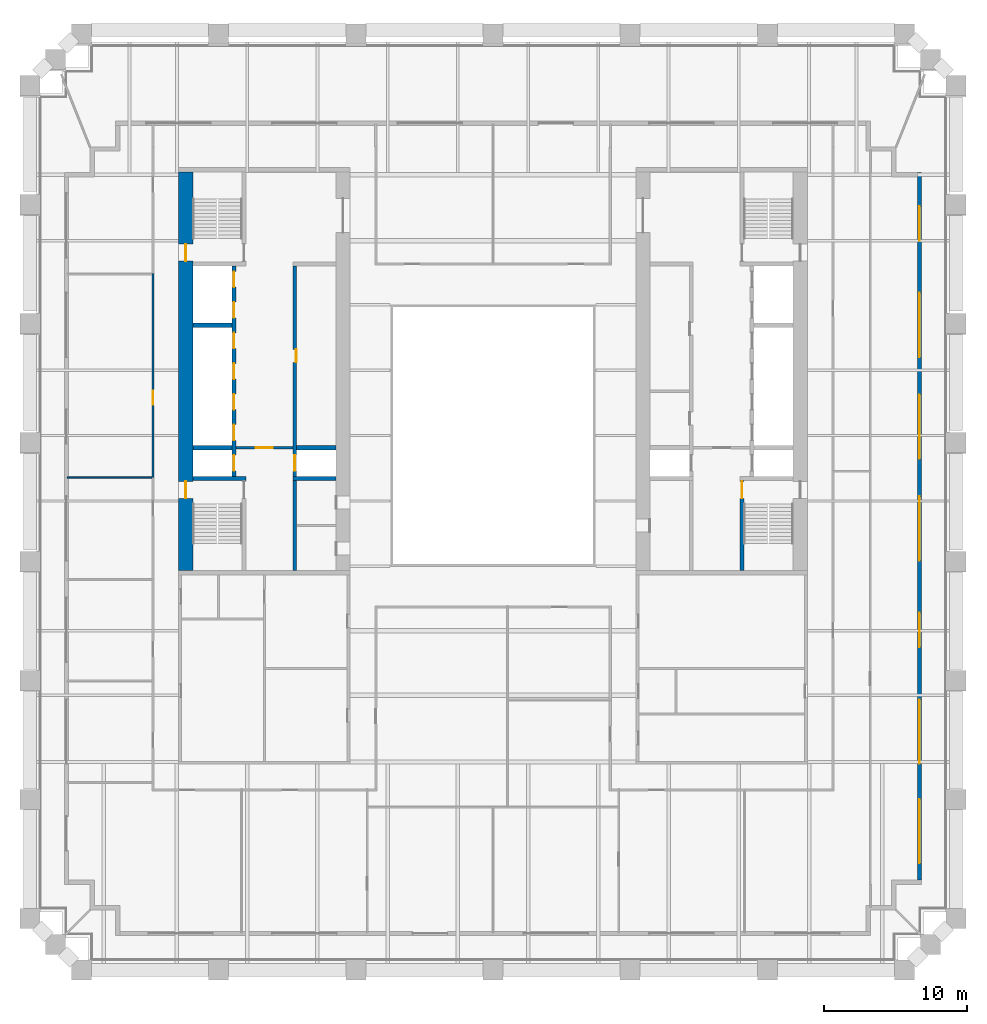
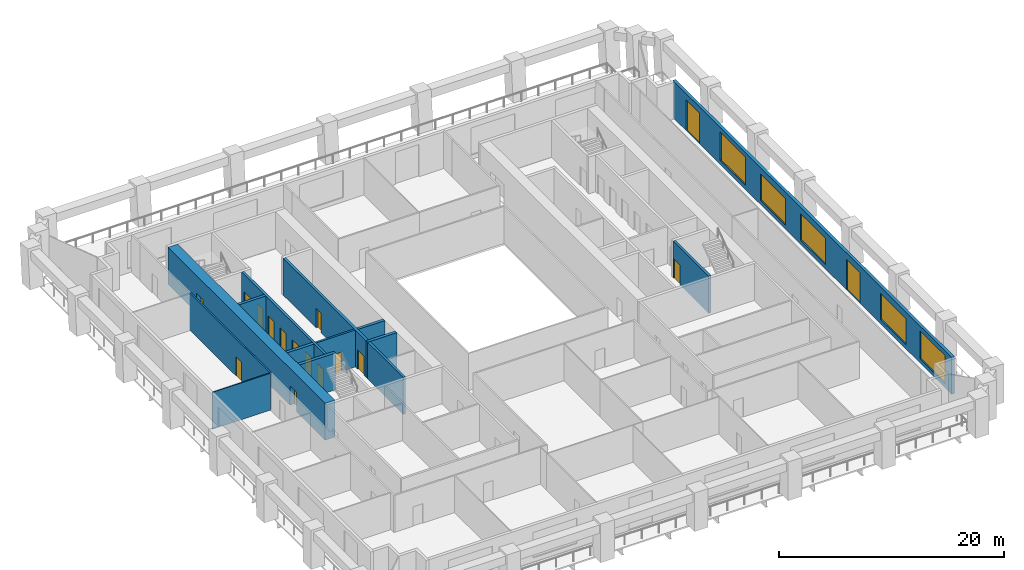
# One storey, part 5 of 10: 16 doors, 13 walls, 5 windows, 21 openings.
"""IFC4 building model written with IfcOpenShell, lengths in metres."""

from ifc_helpers import new_model, si_unit, direction, frame, frame_2d, origin, place, context, subcontext, project, spatial, rectangle, extrude, material, layer, layer_set, type_object, element, fill, save


model = new_model("IFC4")

# Units and contexts
model_context = context("Model", 3, precision=1e-05, world=origin(), true_north=direction((0.0, 1.0)))
body_context = subcontext(model_context, "Body", "Model", "MODEL_VIEW")
ifc_project = project(units=[si_unit("LENGTHUNIT", "METRE"), si_unit("AREAUNIT", "SQUARE_METRE"), si_unit("VOLUMEUNIT", "CUBIC_METRE"), si_unit("PLANEANGLEUNIT", "RADIAN"), si_unit("MASSUNIT", "GRAM", prefix="KILO")], contexts=[model_context])

# Site, building, storey
site_placement = place(None, origin())
site = spatial("IfcSite", under=ifc_project, at=site_placement, CompositionType="ELEMENT")
building_placement = place(site_placement, origin())
building = spatial("IfcBuilding", under=site, at=building_placement, Name="Ogive Exchange Tower", CompositionType="ELEMENT")
storey_placement = place(building_placement, frame((0.0, 0.0, 73.199951171875)))
storey = spatial("IfcBuildingStorey", under=building, at=storey_placement, Name="L15", CompositionType="ELEMENT", Elevation=73.199951171875)

# Wall, opening, door
ifc_material_1 = material(Name="Fire partition EI 60 150")
ifc_layer_1 = layer(ifc_material_1, 0.14990234375)
ifc_layer_set_1 = layer_set([ifc_layer_1], Name="Fire partition EI 60 150")
wall_type_1 = type_object("IfcWallType", Name="Fire partition EI 60 150", PredefinedType="PARTITIONING", material=ifc_layer_set_1)
wall_1_placement = place(storey_placement, frame((-23.800048828125, 4.06005859375, 0.0), z_axis=(0.0, 0.0, 1.0), x_axis=(0.0, 1.0, 0.0)))
wall_1 = element("IfcWall", 1, at=wall_1_placement, inside=storey, type_object=wall_type_1, Name="L15-PWL-009", PredefinedType="PARTITIONING", context=body_context, shape_type="SweptSolid", body=[
    extrude(rectangle(XDim=14.280029296875, YDim=0.14990234375, at=frame_2d((7.14013671875, 0.0))), origin(), (0.0, 0.0, 1.0), 4.0),
])
opening_1_placement = place(wall_1_placement, frame((5.080078125, 0.0, 0.0)))
opening_1 = element("IfcOpeningElement", 2, at=opening_1_placement, cuts=wall_1, Name="Opening L15-I13", PredefinedType="OPENING", context=body_context, shape_type="SweptSolid", body=[
    extrude(rectangle(XDim=1.0, YDim=2.10009765625, at=frame_2d((0.5, 1.050048828125))), frame((0.0, 0.0849609375, 0.0), z_axis=(0.0, -1.0, 0.0), x_axis=(1.0, 0.0, 0.0)), (0.0, 0.0, 1.0), 0.169921875),
])
ifc_material_2 = material(Name="Fire door FD 30S 1000 x 2100")
door_type_1 = type_object("IfcDoorType", Name="Fire door FD 30S 1000 x 2100", OperationType="NOTDEFINED", PredefinedType="DOOR", material=ifc_material_2)
door_1_placement = place(opening_1_placement, origin())
door_1 = element("IfcDoor", 3, at=door_1_placement, inside=storey, type_object=door_type_1, Name="L15-IDR-013", ObjectType="DT3", OperationType="SINGLE_SWING_LEFT", OverallHeight=2.10009765625, OverallWidth=1.0, PredefinedType="DOOR", context=body_context, shape_type="SweptSolid", body=[
    extrude(rectangle(XDim=1.0, YDim=2.10009765625, at=frame_2d((0.5, 1.050048828125))), frame((0.0, 0.02490234375, 0.0), z_axis=(0.0, -1.0, 0.0), x_axis=(1.0, 0.0, 0.0)), (0.0, 0.0, 1.0), 0.050048828125),
])
fill(opening_1, door_1)

# Wall, openings, doors, windows
ifc_material_3 = material(Name="Precast concrete C40/50", Category="concrete")
ifc_layer_2 = layer(ifc_material_3, 0.300048828125)
ifc_layer_set_2 = layer_set([ifc_layer_2], Name="Limestone-faced wall 300")
wall_type_2 = type_object("IfcWallType", Name="Limestone-faced wall 300", PredefinedType="STANDARD", material=ifc_layer_set_2)
wall_2_placement = place(storey_placement, frame((29.85009765625, -24.10009765625, 0.0), z_axis=(0.0, 0.0, 1.0), x_axis=(0.0, 1.0, 0.0)))
wall_2 = element("IfcWall", 4, at=wall_2_placement, inside=storey, type_object=wall_type_2, Name="External wall E2", PredefinedType="STANDARD", context=body_context, shape_type="SweptSolid", body=[
    extrude(rectangle(XDim=49.5, YDim=0.300048828125, at=frame_2d((24.75, 0.0))), origin(), (0.0, 0.0, 1.0), 4.0),
])
opening_2_placement = place(wall_2_placement, frame((1.156982421875, 0.0, 0.449951171875)))
opening_2 = element("IfcOpeningElement", 5, at=opening_2_placement, cuts=wall_2, Name="Opening W1", PredefinedType="OPENING", context=body_context, shape_type="SweptSolid", body=[
    extrude(rectangle(XDim=4.5, YDim=3.050048828125, at=frame_2d((2.25, 1.52490234375))), frame((0.0, 0.159912109375, 0.0), z_axis=(0.0, -1.0, 0.0), x_axis=(1.0, 0.0, 0.0)), (0.0, 0.0, 1.0), 0.320068359375),
])
opening_3_placement = place(wall_2_placement, frame((8.121337890625, 0.0, 0.449951171875)))
opening_3 = element("IfcOpeningElement", 6, at=opening_3_placement, cuts=wall_2, Name="Opening W1E", PredefinedType="OPENING", context=body_context, shape_type="SweptSolid", body=[
    extrude(rectangle(XDim=4.5, YDim=2.824951171875, at=frame_2d((2.25, 1.41259765625))), frame((0.0, 0.159912109375, 0.0), z_axis=(0.0, -1.0, 0.0), x_axis=(1.0, 0.0, 0.0)), (0.0, 0.0, 1.0), 0.320068359375),
])
opening_4_placement = place(wall_2_placement, frame((16.28564453125, 0.0, 0.0)))
opening_4 = element("IfcOpeningElement", 7, at=opening_4_placement, cuts=wall_2, Name="Opening D1C", PredefinedType="OPENING", context=body_context, shape_type="SweptSolid", body=[
    extrude(rectangle(XDim=2.39990234375, YDim=3.324951171875, at=frame_2d((1.199951171875, 1.66259765625))), frame((0.0, 0.159912109375, 0.0), z_axis=(0.0, -1.0, 0.0), x_axis=(1.0, 0.0, 0.0)), (0.0, 0.0, 1.0), 0.320068359375),
])
opening_5_placement = place(wall_2_placement, frame((22.35009765625, 0.0, 0.449951171875)))
opening_5 = element("IfcOpeningElement", 8, at=opening_5_placement, cuts=wall_2, Name="Opening W1D", PredefinedType="OPENING", context=body_context, shape_type="SweptSolid", body=[
    extrude(rectangle(XDim=4.5, YDim=2.875, at=frame_2d((2.25, 1.4375))), frame((0.0, 0.159912109375, 0.0), z_axis=(0.0, -1.0, 0.0), x_axis=(1.0, 0.0, 0.0)), (0.0, 0.0, 1.0), 0.320068359375),
])
opening_6_placement = place(wall_2_placement, frame((29.464111328125, 0.0, 0.449951171875)))
opening_6 = element("IfcOpeningElement", 9, at=opening_6_placement, cuts=wall_2, Name="Opening W1D", PredefinedType="OPENING", context=body_context, shape_type="SweptSolid", body=[
    extrude(rectangle(XDim=4.5, YDim=2.875, at=frame_2d((2.25, 1.4375))), frame((0.0, 0.159912109375, 0.0), z_axis=(0.0, -1.0, 0.0), x_axis=(1.0, 0.0, 0.0)), (0.0, 0.0, 1.0), 0.320068359375),
])
opening_7_placement = place(wall_2_placement, frame((36.57861328125, 0.0, 0.449951171875)))
opening_7 = element("IfcOpeningElement", 10, at=opening_7_placement, cuts=wall_2, Name="Opening W1", PredefinedType="OPENING", context=body_context, shape_type="SweptSolid", body=[
    extrude(rectangle(XDim=4.5, YDim=3.050048828125, at=frame_2d((2.25, 1.52490234375))), frame((0.0, 0.159912109375, 0.0), z_axis=(0.0, -1.0, 0.0), x_axis=(1.0, 0.0, 0.0)), (0.0, 0.0, 1.0), 0.320068359375),
])
opening_8_placement = place(wall_2_placement, frame((44.742919921875, 0.0, 0.0)))
opening_8 = element("IfcOpeningElement", 11, at=opening_8_placement, cuts=wall_2, Name="Opening D1C", PredefinedType="OPENING", context=body_context, shape_type="SweptSolid", body=[
    extrude(rectangle(XDim=2.39990234375, YDim=3.324951171875, at=frame_2d((1.199951171875, 1.66259765625))), frame((0.0, 0.159912109375, 0.0), z_axis=(0.0, -1.0, 0.0), x_axis=(1.0, 0.0, 0.0)), (0.0, 0.0, 1.0), 0.320068359375),
])
ifc_material_4 = material(Name="Clear glass in bronze frame", Category="glass")
door_type_2 = type_object("IfcDoorType", Name="Sliding loggia door 2400 x 3325", OperationType="DOUBLE_DOOR_SLIDING", PredefinedType="DOOR", material=ifc_material_4)
door_2_placement = place(opening_4_placement, origin())
door_2 = element("IfcDoor", 12, at=door_2_placement, inside=storey, type_object=door_type_2, Name="Loggia door E02", OperationType="DOUBLE_DOOR_SLIDING", OverallHeight=3.324951171875, OverallWidth=2.39990234375, PredefinedType="DOOR", context=body_context, shape_type="SweptSolid", body=[
    extrude(rectangle(XDim=2.39990234375, YDim=3.324951171875, at=frame_2d((1.199951171875, 1.66259765625))), frame((0.0, 0.02490234375, 0.0), z_axis=(0.0, -1.0, 0.0), x_axis=(1.0, 0.0, 0.0)), (0.0, 0.0, 1.0), 0.050048828125),
])
fill(opening_4, door_2)
door_3_placement = place(opening_8_placement, origin())
door_3 = element("IfcDoor", 13, at=door_3_placement, inside=storey, type_object=door_type_2, Name="Loggia door E06", OperationType="DOUBLE_DOOR_SLIDING", OverallHeight=3.324951171875, OverallWidth=2.39990234375, PredefinedType="DOOR", context=body_context, shape_type="SweptSolid", body=[
    extrude(rectangle(XDim=2.39990234375, YDim=3.324951171875, at=frame_2d((1.199951171875, 1.66259765625))), frame((0.0, 0.02490234375, 0.0), z_axis=(0.0, -1.0, 0.0), x_axis=(1.0, 0.0, 0.0)), (0.0, 0.0, 1.0), 0.050048828125),
])
fill(opening_8, door_3)
window_type_1 = type_object("IfcWindowType", Name="Twin lancet window 4500 x 2825", PartitioningType="DOUBLE_PANEL_VERTICAL", PredefinedType="WINDOW", material=ifc_material_4)
window_1_placement = place(opening_3_placement, origin())
window_1 = element("IfcWindow", 14, at=window_1_placement, inside=storey, type_object=window_type_1, Name="Window E01", OverallHeight=2.824951171875, OverallWidth=4.5, PartitioningType="DOUBLE_PANEL_VERTICAL", PredefinedType="WINDOW", context=body_context, shape_type="SweptSolid", body=[
    extrude(rectangle(XDim=4.5, YDim=2.824951171875, at=frame_2d((2.25, 1.41259765625))), frame((0.0, 0.030029296875, 0.0), z_axis=(0.0, -1.0, 0.0), x_axis=(1.0, 0.0, 0.0)), (0.0, 0.0, 1.0), 0.06005859375),
])
fill(opening_3, window_1)
window_type_2 = type_object("IfcWindowType", Name="Twin lancet window 4500 x 2875", PartitioningType="DOUBLE_PANEL_VERTICAL", PredefinedType="WINDOW", material=ifc_material_4)
window_2_placement = place(opening_5_placement, origin())
window_2 = element("IfcWindow", 15, at=window_2_placement, inside=storey, type_object=window_type_2, Name="Window E03", OverallHeight=2.875, OverallWidth=4.5, PartitioningType="DOUBLE_PANEL_VERTICAL", PredefinedType="WINDOW", context=body_context, shape_type="SweptSolid", body=[
    extrude(rectangle(XDim=4.5, YDim=2.875, at=frame_2d((2.25, 1.4375))), frame((0.0, 0.030029296875, 0.0), z_axis=(0.0, -1.0, 0.0), x_axis=(1.0, 0.0, 0.0)), (0.0, 0.0, 1.0), 0.06005859375),
])
fill(opening_5, window_2)
window_3_placement = place(opening_6_placement, origin())
window_3 = element("IfcWindow", 16, at=window_3_placement, inside=storey, type_object=window_type_2, Name="Window E04", OverallHeight=2.875, OverallWidth=4.5, PartitioningType="DOUBLE_PANEL_VERTICAL", PredefinedType="WINDOW", context=body_context, shape_type="SweptSolid", body=[
    extrude(rectangle(XDim=4.5, YDim=2.875, at=frame_2d((2.25, 1.4375))), frame((0.0, 0.030029296875, 0.0), z_axis=(0.0, -1.0, 0.0), x_axis=(1.0, 0.0, 0.0)), (0.0, 0.0, 1.0), 0.06005859375),
])
fill(opening_6, window_3)
window_type_3 = type_object("IfcWindowType", Name="Twin lancet window 4500 x 3050", PartitioningType="DOUBLE_PANEL_VERTICAL", PredefinedType="WINDOW", material=ifc_material_4)
window_4_placement = place(opening_2_placement, origin())
window_4 = element("IfcWindow", 17, at=window_4_placement, inside=storey, type_object=window_type_3, Name="Window E00", OverallHeight=3.050048828125, OverallWidth=4.5, PartitioningType="DOUBLE_PANEL_VERTICAL", PredefinedType="WINDOW", context=body_context, shape_type="SweptSolid", body=[
    extrude(rectangle(XDim=4.5, YDim=3.050048828125, at=frame_2d((2.25, 1.52490234375))), frame((0.0, 0.030029296875, 0.0), z_axis=(0.0, -1.0, 0.0), x_axis=(1.0, 0.0, 0.0)), (0.0, 0.0, 1.0), 0.06005859375),
])
fill(opening_2, window_4)
window_5_placement = place(opening_7_placement, origin())
window_5 = element("IfcWindow", 18, at=window_5_placement, inside=storey, type_object=window_type_3, Name="Window E05", OverallHeight=3.050048828125, OverallWidth=4.5, PartitioningType="DOUBLE_PANEL_VERTICAL", PredefinedType="WINDOW", context=body_context, shape_type="SweptSolid", body=[
    extrude(rectangle(XDim=4.5, YDim=3.050048828125, at=frame_2d((2.25, 1.52490234375))), frame((0.0, 0.030029296875, 0.0), z_axis=(0.0, -1.0, 0.0), x_axis=(1.0, 0.0, 0.0)), (0.0, 0.0, 1.0), 0.06005859375),
])
fill(opening_7, window_5)

# Wall
ifc_material_5 = material(Name="Partition 100 gypsum")
ifc_layer_3 = layer(ifc_material_5, 0.10009765625)
ifc_layer_set_3 = layer_set([ifc_layer_3], Name="Partition 100 gypsum")
wall_type_3 = type_object("IfcWallType", Name="Partition 100 gypsum", PredefinedType="PARTITIONING", material=ifc_layer_set_3)
wall_3_placement = place(storey_placement, frame((-23.875, 4.06005859375, 0.0), z_axis=(0.0, 0.0, 1.0), x_axis=(-1.0, 0.0, 0.0)))
element("IfcWall", 19, at=wall_3_placement, inside=storey, type_object=wall_type_3, Name="L15-PWL-008", PredefinedType="PARTITIONING", context=body_context, shape_type="SweptSolid", body=[
    extrude(rectangle(XDim=5.925048828125, YDim=0.10009765625, at=frame_2d((2.96240234375, 0.0))), origin(), (0.0, 0.0, 1.0), 4.0),
])

# Wall, openings, doors
ifc_material_6 = material(Name="Concrete C70/85", Category="concrete")
ifc_layer_4 = layer(ifc_material_6, 1.0)
ifc_layer_set_4 = layer_set([ifc_layer_4], Name="RC core wall 1000 C70/85")
wall_type_4 = type_object("IfcWallType", Name="RC core wall 1000 C70/85", PredefinedType="SHEAR", material=ifc_layer_set_4)
wall_4_placement = place(storey_placement, frame((-21.5, -2.449951171875, 0.0), z_axis=(0.0, 0.0, 1.0), x_axis=(0.0, 1.0, 0.0)))
wall_4 = element("IfcWall", 20, at=wall_4_placement, inside=storey, type_object=wall_type_4, Name="W outer wall", PredefinedType="SHEAR", context=body_context, shape_type="SweptSolid", body=[
    extrude(rectangle(XDim=27.89990234375, YDim=1.0, at=frame_2d((13.949951171875, 0.0))), origin(), (0.0, 0.0, 1.0), 4.0),
])
opening_9_placement = place(wall_4_placement, frame((5.050048828125, 0.0, 0.0)))
opening_9 = element("IfcOpeningElement", 21, at=opening_9_placement, cuts=wall_4, Name="Opening L15-C13", PredefinedType="OPENING", context=body_context, shape_type="SweptSolid", body=[
    extrude(rectangle(XDim=1.199951171875, YDim=2.10009765625, at=frame_2d((0.60009765625, 1.050048828125))), frame((0.0, 0.510009765625, 0.0), z_axis=(0.0, -1.0, 0.0), x_axis=(1.0, 0.0, 0.0)), (0.0, 0.0, 1.0), 1.02001953125),
])
opening_10_placement = place(wall_4_placement, frame((21.64990234375, 0.0, 0.0)))
opening_10 = element("IfcOpeningElement", 22, at=opening_10_placement, cuts=wall_4, Name="Opening L15-C15", PredefinedType="OPENING", context=body_context, shape_type="SweptSolid", body=[
    extrude(rectangle(XDim=1.199951171875, YDim=2.10009765625, at=frame_2d((0.60009765625, 1.050048828125))), frame((0.0, 0.510009765625, 0.0), z_axis=(0.0, -1.0, 0.0), x_axis=(1.0, 0.0, 0.0)), (0.0, 0.0, 1.0), 1.02001953125),
])
ifc_material_7 = material(Name="Steel fire door", Category="steel")
door_type_3 = type_object("IfcDoorType", Name="Stair door FD90 1200 x 2100", OperationType="NOTDEFINED", PredefinedType="DOOR", material=ifc_material_7)
door_4_placement = place(opening_9_placement, frame((1.199951171875, 0.0, 0.0), z_axis=(0.0, 0.0, 1.0), x_axis=(-1.0, 0.0, 0.0)))
door_4 = element("IfcDoor", 23, at=door_4_placement, inside=storey, type_object=door_type_3, Name="Stair door", ObjectType="CD5", OperationType="SINGLE_SWING_RIGHT", OverallHeight=2.10009765625, OverallWidth=1.199951171875, PredefinedType="DOOR", context=body_context, shape_type="SweptSolid", body=[
    extrude(rectangle(XDim=1.199951171875, YDim=2.10009765625, at=frame_2d((0.60009765625, 1.050048828125))), frame((0.0, 0.02490234375, 0.0), z_axis=(0.0, -1.0, 0.0), x_axis=(1.0, 0.0, 0.0)), (0.0, 0.0, 1.0), 0.050048828125),
])
fill(opening_9, door_4)
door_5_placement = place(opening_10_placement, frame((1.199951171875, 0.0, 0.0), z_axis=(0.0, 0.0, 1.0), x_axis=(-1.0, 0.0, 0.0)))
door_5 = element("IfcDoor", 24, at=door_5_placement, inside=storey, type_object=door_type_3, Name="Stair door", ObjectType="CD5", OperationType="SINGLE_SWING_LEFT", OverallHeight=2.10009765625, OverallWidth=1.199951171875, PredefinedType="DOOR", context=body_context, shape_type="SweptSolid", body=[
    extrude(rectangle(XDim=1.199951171875, YDim=2.10009765625, at=frame_2d((0.60009765625, 1.050048828125))), frame((0.0, 0.02490234375, 0.0), z_axis=(0.0, -1.0, 0.0), x_axis=(1.0, 0.0, 0.0)), (0.0, 0.0, 1.0), 0.050048828125),
])
fill(opening_10, door_5)

# Wall, opening, door
ifc_layer_5 = layer(ifc_material_6, 0.199951171875)
ifc_layer_set_5 = layer_set([ifc_layer_5], Name="RC core wall 200 C70/85")
wall_type_5 = type_object("IfcWallType", Name="RC core wall 200 C70/85", PredefinedType="SHEAR", material=ifc_layer_set_5)
wall_5_placement = place(storey_placement, frame((-18.0, 6.142822265625, 0.0), z_axis=(0.0, 0.0, 1.0), x_axis=(1.0, 0.0, 0.0)))
wall_5 = element("IfcWall", 25, at=wall_5_placement, inside=storey, type_object=wall_type_5, Name="W firefighting lobby wall", PredefinedType="SHEAR", context=body_context, shape_type="SweptSolid", body=[
    extrude(rectangle(XDim=4.0, YDim=0.199951171875, at=frame_2d((2.0, 0.0))), origin(), (0.0, 0.0, 1.0), 4.0),
])
opening_11_placement = place(wall_5_placement, frame((1.39990234375, 0.0, 0.0)))
opening_11 = element("IfcOpeningElement", 26, at=opening_11_placement, cuts=wall_5, Name="Opening L15-C10", PredefinedType="OPENING", context=body_context, shape_type="SweptSolid", body=[
    extrude(rectangle(XDim=1.199951171875, YDim=2.10009765625, at=frame_2d((0.60009765625, 1.050048828125))), frame((0.0, 0.10986328125, 0.0), z_axis=(0.0, -1.0, 0.0), x_axis=(1.0, 0.0, 0.0)), (0.0, 0.0, 1.0), 0.219970703125),
])
door_type_4 = type_object("IfcDoorType", Name="Firefighting lobby door FD60 1200 x 2100", OperationType="NOTDEFINED", PredefinedType="DOOR", material=ifc_material_7)
door_6_placement = place(opening_11_placement, frame((1.199951171875, 0.0, 0.0), z_axis=(0.0, 0.0, 1.0), x_axis=(-1.0, 0.0, 0.0)))
door_6 = element("IfcDoor", 27, at=door_6_placement, inside=storey, type_object=door_type_4, Name="Firefighting lobby door", ObjectType="CD3", OperationType="SINGLE_SWING_RIGHT", OverallHeight=2.10009765625, OverallWidth=1.199951171875, PredefinedType="DOOR", context=body_context, shape_type="SweptSolid", body=[
    extrude(rectangle(XDim=1.199951171875, YDim=2.10009765625, at=frame_2d((0.60009765625, 1.050048828125))), frame((0.0, 0.02490234375, 0.0), z_axis=(0.0, -1.0, 0.0), x_axis=(1.0, 0.0, 0.0)), (0.0, 0.0, 1.0), 0.050048828125),
])
fill(opening_11, door_6)

# Wall, openings, doors
ifc_layer_6 = layer(ifc_material_6, 0.25)
ifc_layer_set_6 = layer_set([ifc_layer_6], Name="RC core wall 250 C70/85")
wall_type_6 = type_object("IfcWallType", Name="RC core wall 250 C70/85", PredefinedType="SHEAR", material=ifc_layer_set_6)
wall_6_placement = place(storey_placement, frame((-18.125, 4.14990234375, 0.0), z_axis=(0.0, 0.0, 1.0), x_axis=(0.0, 1.0, 0.0)))
wall_6 = element("IfcWall", 28, at=wall_6_placement, inside=storey, type_object=wall_type_6, Name="W row A front wall", PredefinedType="SHEAR", context=body_context, shape_type="SweptSolid", body=[
    extrude(rectangle(XDim=14.7001953125, YDim=0.25, at=frame_2d((7.35009765625, 0.0))), origin(), (0.0, 0.0, 1.0), 4.0),
])
opening_12_placement = place(wall_6_placement, frame((0.371337890625, 0.0, 0.0)))
opening_12 = element("IfcOpeningElement", 29, at=opening_12_placement, cuts=wall_6, Name="Opening L15-C01", PredefinedType="OPENING", context=body_context, shape_type="SweptSolid", body=[
    extrude(rectangle(XDim=1.10009765625, YDim=2.10009765625, at=frame_2d((0.550048828125, 1.050048828125))), frame((0.0, 0.135009765625, 0.0), z_axis=(0.0, -1.0, 0.0), x_axis=(1.0, 0.0, 0.0)), (0.0, 0.0, 1.0), 0.27001953125),
])
opening_13_placement = place(wall_6_placement, frame((2.514404296875, 0.0, 0.0)))
opening_13 = element("IfcOpeningElement", 30, at=opening_13_placement, cuts=wall_6, Name="Opening L15-C02", PredefinedType="OPENING", context=body_context, shape_type="SweptSolid", body=[
    extrude(rectangle(XDim=1.10009765625, YDim=2.10009765625, at=frame_2d((0.550048828125, 1.050048828125))), frame((0.0, 0.135009765625, 0.0), z_axis=(0.0, -1.0, 0.0), x_axis=(1.0, 0.0, 0.0)), (0.0, 0.0, 1.0), 0.27001953125),
])
opening_14_placement = place(wall_6_placement, frame((4.656982421875, 0.0, 0.0)))
opening_14 = element("IfcOpeningElement", 31, at=opening_14_placement, cuts=wall_6, Name="Opening L15-C03", PredefinedType="OPENING", context=body_context, shape_type="SweptSolid", body=[
    extrude(rectangle(XDim=1.10009765625, YDim=2.10009765625, at=frame_2d((0.550048828125, 1.050048828125))), frame((0.0, 0.135009765625, 0.0), z_axis=(0.0, -1.0, 0.0), x_axis=(1.0, 0.0, 0.0)), (0.0, 0.0, 1.0), 0.27001953125),
])
opening_15_placement = place(wall_6_placement, frame((6.800048828125, 0.0, 0.0)))
opening_15 = element("IfcOpeningElement", 32, at=opening_15_placement, cuts=wall_6, Name="Opening L15-C04", PredefinedType="OPENING", context=body_context, shape_type="SweptSolid", body=[
    extrude(rectangle(XDim=1.10009765625, YDim=2.10009765625, at=frame_2d((0.550048828125, 1.050048828125))), frame((0.0, 0.135009765625, 0.0), z_axis=(0.0, -1.0, 0.0), x_axis=(1.0, 0.0, 0.0)), (0.0, 0.0, 1.0), 0.27001953125),
])
opening_16_placement = place(wall_6_placement, frame((8.94287109375, 0.0, 0.0)))
opening_16 = element("IfcOpeningElement", 33, at=opening_16_placement, cuts=wall_6, Name="Opening L15-C05", PredefinedType="OPENING", context=body_context, shape_type="SweptSolid", body=[
    extrude(rectangle(XDim=1.10009765625, YDim=2.10009765625, at=frame_2d((0.550048828125, 1.050048828125))), frame((0.0, 0.135009765625, 0.0), z_axis=(0.0, -1.0, 0.0), x_axis=(1.0, 0.0, 0.0)), (0.0, 0.0, 1.0), 0.27001953125),
])
opening_17_placement = place(wall_6_placement, frame((11.085693359375, 0.0, 0.0)))
opening_17 = element("IfcOpeningElement", 34, at=opening_17_placement, cuts=wall_6, Name="Opening L15-C06", PredefinedType="OPENING", context=body_context, shape_type="SweptSolid", body=[
    extrude(rectangle(XDim=1.10009765625, YDim=2.10009765625, at=frame_2d((0.550048828125, 1.050048828125))), frame((0.0, 0.135009765625, 0.0), z_axis=(0.0, -1.0, 0.0), x_axis=(1.0, 0.0, 0.0)), (0.0, 0.0, 1.0), 0.27001953125),
])
opening_18_placement = place(wall_6_placement, frame((13.228515625, 0.0, 0.0)))
opening_18 = element("IfcOpeningElement", 35, at=opening_18_placement, cuts=wall_6, Name="Opening L15-C07", PredefinedType="OPENING", context=body_context, shape_type="SweptSolid", body=[
    extrude(rectangle(XDim=1.10009765625, YDim=2.10009765625, at=frame_2d((0.550048828125, 1.050048828125))), frame((0.0, 0.135009765625, 0.0), z_axis=(0.0, -1.0, 0.0), x_axis=(1.0, 0.0, 0.0)), (0.0, 0.0, 1.0), 0.27001953125),
])
ifc_material_8 = material(Name="Stainless steel", Category="steel")
door_type_5 = type_object("IfcDoorType", Name="Lift landing door FD90 1100 x 2100", OperationType="SLIDING_TO_LEFT", PredefinedType="DOOR", material=ifc_material_8)
door_7_placement = place(opening_12_placement, origin())
door_7 = element("IfcDoor", 36, at=door_7_placement, inside=storey, type_object=door_type_5, Name="Lift landing door FF1", ObjectType="LD", OperationType="SLIDING_TO_LEFT", OverallHeight=2.10009765625, OverallWidth=1.10009765625, PredefinedType="DOOR", context=body_context, shape_type="SweptSolid", body=[
    extrude(rectangle(XDim=1.10009765625, YDim=2.10009765625, at=frame_2d((0.550048828125, 1.050048828125))), frame((0.0, 0.02490234375, 0.0), z_axis=(0.0, -1.0, 0.0), x_axis=(1.0, 0.0, 0.0)), (0.0, 0.0, 1.0), 0.050048828125),
])
fill(opening_12, door_7)
door_8_placement = place(opening_13_placement, origin())
door_8 = element("IfcDoor", 37, at=door_8_placement, inside=storey, type_object=door_type_5, Name="Lift landing door W-L1", ObjectType="LD", OperationType="SLIDING_TO_LEFT", OverallHeight=2.10009765625, OverallWidth=1.10009765625, PredefinedType="DOOR", context=body_context, shape_type="SweptSolid", body=[
    extrude(rectangle(XDim=1.10009765625, YDim=2.10009765625, at=frame_2d((0.550048828125, 1.050048828125))), frame((0.0, 0.02490234375, 0.0), z_axis=(0.0, -1.0, 0.0), x_axis=(1.0, 0.0, 0.0)), (0.0, 0.0, 1.0), 0.050048828125),
])
fill(opening_13, door_8)
door_9_placement = place(opening_14_placement, origin())
door_9 = element("IfcDoor", 38, at=door_9_placement, inside=storey, type_object=door_type_5, Name="Lift landing door W-L2", ObjectType="LD", OperationType="SLIDING_TO_LEFT", OverallHeight=2.10009765625, OverallWidth=1.10009765625, PredefinedType="DOOR", context=body_context, shape_type="SweptSolid", body=[
    extrude(rectangle(XDim=1.10009765625, YDim=2.10009765625, at=frame_2d((0.550048828125, 1.050048828125))), frame((0.0, 0.02490234375, 0.0), z_axis=(0.0, -1.0, 0.0), x_axis=(1.0, 0.0, 0.0)), (0.0, 0.0, 1.0), 0.050048828125),
])
fill(opening_14, door_9)
door_10_placement = place(opening_15_placement, origin())
door_10 = element("IfcDoor", 39, at=door_10_placement, inside=storey, type_object=door_type_5, Name="Lift landing door W-L3", ObjectType="LD", OperationType="SLIDING_TO_LEFT", OverallHeight=2.10009765625, OverallWidth=1.10009765625, PredefinedType="DOOR", context=body_context, shape_type="SweptSolid", body=[
    extrude(rectangle(XDim=1.10009765625, YDim=2.10009765625, at=frame_2d((0.550048828125, 1.050048828125))), frame((0.0, 0.02490234375, 0.0), z_axis=(0.0, -1.0, 0.0), x_axis=(1.0, 0.0, 0.0)), (0.0, 0.0, 1.0), 0.050048828125),
])
fill(opening_15, door_10)
door_11_placement = place(opening_16_placement, origin())
door_11 = element("IfcDoor", 40, at=door_11_placement, inside=storey, type_object=door_type_5, Name="Lift landing door W-L4", ObjectType="LD", OperationType="SLIDING_TO_LEFT", OverallHeight=2.10009765625, OverallWidth=1.10009765625, PredefinedType="DOOR", context=body_context, shape_type="SweptSolid", body=[
    extrude(rectangle(XDim=1.10009765625, YDim=2.10009765625, at=frame_2d((0.550048828125, 1.050048828125))), frame((0.0, 0.02490234375, 0.0), z_axis=(0.0, -1.0, 0.0), x_axis=(1.0, 0.0, 0.0)), (0.0, 0.0, 1.0), 0.050048828125),
])
fill(opening_16, door_11)
door_12_placement = place(opening_17_placement, origin())
door_12 = element("IfcDoor", 41, at=door_12_placement, inside=storey, type_object=door_type_5, Name="Lift landing door W-SH1", ObjectType="LD", OperationType="SLIDING_TO_LEFT", OverallHeight=2.10009765625, OverallWidth=1.10009765625, PredefinedType="DOOR", context=body_context, shape_type="SweptSolid", body=[
    extrude(rectangle(XDim=1.10009765625, YDim=2.10009765625, at=frame_2d((0.550048828125, 1.050048828125))), frame((0.0, 0.02490234375, 0.0), z_axis=(0.0, -1.0, 0.0), x_axis=(1.0, 0.0, 0.0)), (0.0, 0.0, 1.0), 0.050048828125),
])
fill(opening_17, door_12)
door_13_placement = place(opening_18_placement, origin())
door_13 = element("IfcDoor", 42, at=door_13_placement, inside=storey, type_object=door_type_5, Name="Lift landing door W-SH2", ObjectType="LD", OperationType="SLIDING_TO_LEFT", OverallHeight=2.10009765625, OverallWidth=1.10009765625, PredefinedType="DOOR", context=body_context, shape_type="SweptSolid", body=[
    extrude(rectangle(XDim=1.10009765625, YDim=2.10009765625, at=frame_2d((0.550048828125, 1.050048828125))), frame((0.0, 0.02490234375, 0.0), z_axis=(0.0, -1.0, 0.0), x_axis=(1.0, 0.0, 0.0)), (0.0, 0.0, 1.0), 0.050048828125),
])
fill(opening_18, door_13)

wall_7_placement = place(storey_placement, frame((-13.875, -2.449951171875, 0.0), z_axis=(0.0, 0.0, 1.0), x_axis=(0.0, 1.0, 0.0)))
wall_7 = element("IfcWall", 43, at=wall_7_placement, inside=storey, type_object=wall_type_6, Name="W row B front wall", PredefinedType="SHEAR", context=body_context, shape_type="SweptSolid", body=[
    extrude(rectangle(XDim=21.300048828125, YDim=0.25, at=frame_2d((10.64990234375, 0.0))), origin(), (0.0, 0.0, 1.0), 4.0),
])
opening_19_placement = place(wall_7_placement, frame((14.5712890625, 0.0, 0.0)))
opening_19 = element("IfcOpeningElement", 44, at=opening_19_placement, cuts=wall_7, Name="Opening L15-C08", PredefinedType="OPENING", context=body_context, shape_type="SweptSolid", body=[
    extrude(rectangle(XDim=0.89990234375, YDim=2.10009765625, at=frame_2d((0.449951171875, 1.050048828125))), frame((0.0, 0.135009765625, 0.0), z_axis=(0.0, -1.0, 0.0), x_axis=(1.0, 0.0, 0.0)), (0.0, 0.0, 1.0), 0.27001953125),
])
opening_20_placement = place(wall_7_placement, frame((6.971435546875, 0.0, 0.0)))
opening_20 = element("IfcOpeningElement", 45, at=opening_20_placement, cuts=wall_7, Name="Opening L15-C09", PredefinedType="OPENING", context=body_context, shape_type="SweptSolid", body=[
    extrude(rectangle(XDim=1.10009765625, YDim=2.10009765625, at=frame_2d((0.550048828125, 1.050048828125))), frame((0.0, 0.135009765625, 0.0), z_axis=(0.0, -1.0, 0.0), x_axis=(1.0, 0.0, 0.0)), (0.0, 0.0, 1.0), 0.27001953125),
])
door_14_placement = place(opening_20_placement, origin())
door_14 = element("IfcDoor", 46, at=door_14_placement, inside=storey, type_object=door_type_5, Name="Lift landing door SV1", ObjectType="LD", OperationType="SLIDING_TO_LEFT", OverallHeight=2.10009765625, OverallWidth=1.10009765625, PredefinedType="DOOR", context=body_context, shape_type="SweptSolid", body=[
    extrude(rectangle(XDim=1.10009765625, YDim=2.10009765625, at=frame_2d((0.550048828125, 1.050048828125))), frame((0.0, 0.02490234375, 0.0), z_axis=(0.0, -1.0, 0.0), x_axis=(1.0, 0.0, 0.0)), (0.0, 0.0, 1.0), 0.050048828125),
])
fill(opening_20, door_14)
door_type_6 = type_object("IfcDoorType", Name="Riser door FD60 900 x 2100", OperationType="NOTDEFINED", PredefinedType="DOOR", material=ifc_material_7)
door_15_placement = place(opening_19_placement, frame((0.89990234375, -0.2001953125, 0.0), z_axis=(0.0, 0.0, 1.0), x_axis=(-1.0, 0.0, 0.0)))
door_15 = element("IfcDoor", 47, at=door_15_placement, inside=storey, type_object=door_type_6, Name="Riser door", ObjectType="CD2", OperationType="SINGLE_SWING_LEFT", OverallHeight=2.10009765625, OverallWidth=0.89990234375, PredefinedType="DOOR", context=body_context, shape_type="SweptSolid", body=[
    extrude(rectangle(XDim=0.89990234375, YDim=2.10009765625, at=frame_2d((0.449951171875, 1.050048828125))), frame((0.0, -0.0751953125, 0.0), z_axis=(0.0, -1.0, 0.0), x_axis=(1.0, 0.0, 0.0)), (0.0, 0.0, 1.0), 0.050048828125),
])
fill(opening_19, door_15)

# Wall, opening, door
wall_8_placement = place(storey_placement, frame((17.425048828125, -2.449951171875, 0.0), z_axis=(0.0, 0.0, 1.0), x_axis=(0.0, 1.0, 0.0)))
wall_8 = element("IfcWall", 48, at=wall_8_placement, inside=storey, type_object=wall_type_6, Name="E stair S front wall", PredefinedType="SHEAR", context=body_context, shape_type="SweptSolid", body=[
    extrude(rectangle(XDim=6.300048828125, YDim=0.25, at=frame_2d((3.14990234375, 0.0))), origin(), (0.0, 0.0, 1.0), 4.0),
])
opening_21_placement = place(wall_8_placement, frame((5.050048828125, 0.0, 0.0)))
opening_21 = element("IfcOpeningElement", 49, at=opening_21_placement, cuts=wall_8, Name="Opening L15-C35", PredefinedType="OPENING", context=body_context, shape_type="SweptSolid", body=[
    extrude(rectangle(XDim=1.199951171875, YDim=2.10009765625, at=frame_2d((0.60009765625, 1.050048828125))), frame((0.0, 0.135009765625, 0.0), z_axis=(0.0, -1.0, 0.0), x_axis=(1.0, 0.0, 0.0)), (0.0, 0.0, 1.0), 0.27001953125),
])
door_16_placement = place(opening_21_placement, frame((1.199951171875, 0.0, 0.0), z_axis=(0.0, 0.0, 1.0), x_axis=(-1.0, 0.0, 0.0)))
door_16 = element("IfcDoor", 50, at=door_16_placement, inside=storey, type_object=door_type_3, Name="Stair door", ObjectType="CD5", OperationType="SINGLE_SWING_RIGHT", OverallHeight=2.10009765625, OverallWidth=1.199951171875, PredefinedType="DOOR", context=body_context, shape_type="SweptSolid", body=[
    extrude(rectangle(XDim=1.199951171875, YDim=2.10009765625, at=frame_2d((0.60009765625, 1.050048828125))), frame((0.0, 0.02490234375, 0.0), z_axis=(0.0, -1.0, 0.0), x_axis=(1.0, 0.0, 0.0)), (0.0, 0.0, 1.0), 0.050048828125),
])
fill(opening_21, door_16)

# Walls
ifc_layer_7 = layer(ifc_material_6, 0.300048828125)
ifc_layer_set_7 = layer_set([ifc_layer_7], Name="RC core wall 300 C70/85")
wall_type_7 = type_object("IfcWallType", Name="RC core wall 300 C70/85", PredefinedType="SHEAR", material=ifc_layer_set_7)
wall_9_placement = place(storey_placement, frame((-21.0, 4.0, 0.0), z_axis=(0.0, 0.0, 1.0), x_axis=(1.0, 0.0, 0.0)))
element("IfcWall", 51, at=wall_9_placement, inside=storey, type_object=wall_type_7, Name="W stair S north wall", PredefinedType="SHEAR", context=body_context, shape_type="SweptSolid", body=[
    extrude(rectangle(XDim=3.699951171875, YDim=0.300048828125, at=frame_2d((1.85009765625, 0.0))), origin(), (0.0, 0.0, 1.0), 4.0),
])
for number, where, z_axis, x_axis, name in (
    (52, (-21.0, 6.142822265625, 0.0), (0.0, 0.0, 1.0), (1.0, 0.0, 0.0), "W row A divider 1"),
    (53, (-21.0, 14.71435546875, 0.0), (0.0, 0.0, 1.0), (1.0, 0.0, 0.0), "W row A divider 5"),
):
    element("IfcWall", number, at=place(storey_placement, frame(where, z_axis=z_axis, x_axis=x_axis)), inside=storey, type_object=wall_type_7, Name=name, PredefinedType="SHEAR", context=body_context, shape_type="SweptSolid", body=[
        extrude(rectangle(XDim=2.75, YDim=0.300048828125, at=frame_2d((1.375, 0.0))), origin(), (0.0, 0.0, 1.0), 4.0),
    ])
wall_10_placement = place(storey_placement, frame((-14.0, 4.0, 0.0), z_axis=(0.0, 0.0, 1.0), x_axis=(1.0, 0.0, 0.0)))
element("IfcWall", 54, at=wall_10_placement, inside=storey, type_object=wall_type_7, Name="W row B divider 0", PredefinedType="SHEAR", context=body_context, shape_type="SweptSolid", body=[
    extrude(rectangle(XDim=3.0, YDim=0.300048828125, at=frame_2d((1.5, 0.0))), origin(), (0.0, 0.0, 1.0), 4.0),
])
wall_11_placement = place(storey_placement, frame((-13.75, 6.142822265625, 0.0), z_axis=(0.0, 0.0, 1.0), x_axis=(1.0, 0.0, 0.0)))
element("IfcWall", 55, at=wall_11_placement, inside=storey, type_object=wall_type_7, Name="W row B divider 1", PredefinedType="SHEAR", context=body_context, shape_type="SweptSolid", body=[
    extrude(rectangle(XDim=2.75, YDim=0.300048828125, at=frame_2d((1.375, 0.0))), origin(), (0.0, 0.0, 1.0), 4.0),
])

save(model, "model.ifc")
